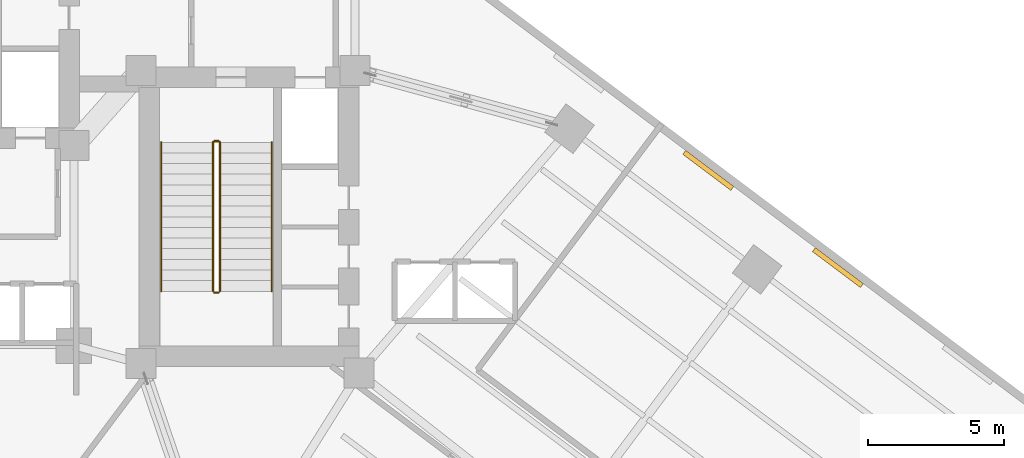
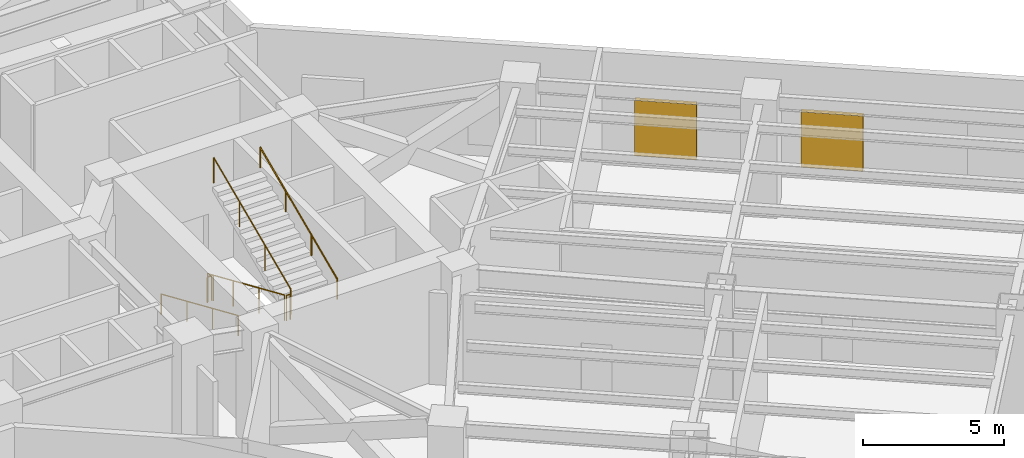
# One storey, part 14 of 16: 7 railings, 2 shading devices.
"""IFC4 building model written with IfcOpenShell, lengths in metres."""

import ifcopenshell
import ifcopenshell.guid

model = None  # the IFC model being written
_history = None  # IfcOwnerHistory: only IFC2X3 demands one
_inside = {}  # id of a spatial element -> (the spatial element, [elements in it])
_under = {}  # id of a project, library or spatial element -> (it, [spatial elements below it])
_declared = {}  # id of a project -> (the project, [libraries it declares])
_typed = {}  # id of a type object -> (the type object, [elements of that type])
_made_of = {}  # id of a material, layer set ... -> (it, [elements and type objects made of it])


def new_model(schema):
    """Start an empty IFC model of exactly this schema.

    Asked for "IFC4X3", IfcOpenShell would pick the latest addendum, in which some entities
    have other attributes; the version numbers below select the first issue.
    IFC2X3 requires an IfcOwnerHistory on every rooted entity: one is made here for all.
    """
    global model, _history
    if schema == "IFC4X3":
        model = ifcopenshell.file(schema_version=(4, 3, 0, 0))
    else:
        model = ifcopenshell.file(schema=schema)
    _inside.clear()
    _under.clear()
    _declared.clear()
    _typed.clear()
    _made_of.clear()
    _history = None
    if model.schema == "IFC2X3":
        org = make("IfcOrganization", Name="unknown")
        user = make(
            "IfcPersonAndOrganization",
            ThePerson=make("IfcPerson", FamilyName="unknown"),
            TheOrganization=org,
        )
        app = make(
            "IfcApplication",
            ApplicationDeveloper=org,
            Version="unknown",
            ApplicationFullName="unknown",
            ApplicationIdentifier="unknown",
        )
        _history = make(
            "IfcOwnerHistory",
            OwningUser=user,
            OwningApplication=app,
            ChangeAction="ADDED",
            CreationDate=0,
        )
    return model


def make(cls, **values):
    """One entity of the class cls with the attributes given. An attribute that is None is left unset."""
    return model.create_entity(
        cls, **{name: value for name, value in values.items() if value is not None}
    )


def rooted(cls, **values):
    """An entity with a GlobalId (a new one), such as an element, a storey or a relation."""
    return make(cls, GlobalId=ifcopenshell.guid.new(), OwnerHistory=_history, **values)


def si_unit(unit_type, name, prefix=None):
    """IfcSIUnit, for example si_unit("LENGTHUNIT", "METRE", prefix="MILLI")."""
    return make("IfcSIUnit", UnitType=unit_type, Prefix=prefix, Name=name)


def assignment(units):
    """IfcUnitAssignment: the units of a project."""
    return None if units is None else make("IfcUnitAssignment", Units=units)


def point(xyz):
    """IfcCartesianPoint."""
    return None if xyz is None else make("IfcCartesianPoint", Coordinates=xyz)


def direction(xyz):
    """IfcDirection."""
    return None if xyz is None else make("IfcDirection", DirectionRatios=xyz)


def frame(location, z_axis=None, x_axis=None):
    """IfcAxis2Placement3D, a coordinate frame: its origin and axes. An axis left out is left unset."""
    return make(
        "IfcAxis2Placement3D",
        Location=point(location),
        Axis=direction(z_axis),
        RefDirection=direction(x_axis),
    )


def frame_2d(location, x_axis=None):
    """IfcAxis2Placement2D, a coordinate frame in the plane: its origin and x axis."""
    return make(
        "IfcAxis2Placement2D", Location=point(location), RefDirection=direction(x_axis)
    )


def origin():
    """The frame at (0, 0, 0) with its axes left unset."""
    return frame((0.0, 0.0, 0.0))


def origin_2d():
    """The frame at (0, 0) in the plane with its x axis left unset."""
    return frame_2d((0.0, 0.0))


def place(relative_to, where):
    """IfcLocalPlacement: puts the frame where relative to a parent placement (None: the world)."""
    return make(
        "IfcLocalPlacement", PlacementRelTo=relative_to, RelativePlacement=where
    )


def context(
    kind, dimensions, precision=None, world=None, true_north=None, identifier=None
):
    """IfcGeometricRepresentationContext, for example the 3D "Model" context."""
    return make(
        "IfcGeometricRepresentationContext",
        ContextIdentifier=identifier,
        ContextType=kind,
        CoordinateSpaceDimension=dimensions,
        Precision=precision,
        WorldCoordinateSystem=world,
        TrueNorth=true_north,
    )


def subcontext(parent, identifier, kind, view, scale=None):
    """IfcGeometricRepresentationSubContext, for example "Body" below "Model"."""
    return make(
        "IfcGeometricRepresentationSubContext",
        ContextIdentifier=identifier,
        ContextType=kind,
        ParentContext=parent,
        TargetScale=scale,
        TargetView=view,
    )


def project(units=None, contexts=None):
    """IfcProject with its units and contexts."""
    return rooted(
        "IfcProject",
        Name="project",
        RepresentationContexts=contexts,
        UnitsInContext=assignment(units),
    )


def spatial(cls, under=None, at=None, **own):
    """A site, building, storey or space (cls), placed at a placement, below another one or the project."""
    s = rooted(cls, ObjectPlacement=at, **own)
    if under is not None:
        _under.setdefault(under.id(), (under, []))[1].append(s)
    return s


def profile(cls, at=None, kind="AREA", **sizes):
    """A parametric profile (cls). Its sizes go by their IFC names, for example OverallWidth=200.0."""
    return make(cls, ProfileType=kind, Position=at, **sizes)


def rectangle(**sizes):
    """IfcRectangleProfileDef."""
    return profile("IfcRectangleProfileDef", **sizes)


def circle(**sizes):
    """IfcCircleProfileDef."""
    return profile("IfcCircleProfileDef", **sizes)


def extrude(swept, where, along, depth):
    """IfcExtrudedAreaSolid: the profile swept, set in the frame where, extruded along a direction by depth."""
    return make(
        "IfcExtrudedAreaSolid",
        SweptArea=swept,
        Position=where,
        ExtrudedDirection=direction(along),
        Depth=depth,
    )


def shape(context_of_items, identifier, shape_type, items):
    """IfcShapeRepresentation: the items that make up one representation, for example the "Body"."""
    return make(
        "IfcShapeRepresentation",
        ContextOfItems=context_of_items,
        RepresentationIdentifier=identifier,
        RepresentationType=shape_type,
        Items=items,
    )


def material(Name=None, Category=None):
    """IfcMaterial."""
    return make("IfcMaterial", Name=Name, Category=Category)


def layer(
    of_material, thickness, ventilated=None, Name=None, Category=None, Priority=None
):
    """IfcMaterialLayer: one layer of a wall or slab, of a material (None: an air gap)."""
    return make(
        "IfcMaterialLayer",
        Material=of_material,
        LayerThickness=thickness,
        IsVentilated=ventilated,
        Name=Name,
        Category=Category,
        Priority=Priority,
    )


def layer_set(layers, Name=None):
    """IfcMaterialLayerSet."""
    return make("IfcMaterialLayerSet", MaterialLayers=layers, LayerSetName=Name)


def made_of(thing, what):
    """Note that an element or type object is made of a material, layer set ...; save() writes the relation."""
    if what is not None:
        _made_of.setdefault(what.id(), (what, []))[1].append(thing)
    return thing


def type_object(cls, material=None, **own):
    """A type object (cls), such as IfcWallType, which elements share."""
    return made_of(rooted(cls, **own), material)


def element(
    cls,
    number,
    at=None,
    inside=None,
    cuts=None,
    type_object=None,
    material=None,
    context=None,
    identifier="Body",
    shape_type=None,
    held_by="IfcProductDefinitionShape",
    body=None,
    shapes=None,
    **own,
):
    """One element of the class cls, such as IfcWall. Its Tag is "e" and its number.

    at: its placement. inside: the storey or other place that contains it. cuts: it is an
    opening in that element (IfcRelVoidsElement). A single representation is given by context,
    identifier, shape_type and body (its items); several are given by shapes. held_by: the class
    of the entity that holds the representations. save() writes the other relations.
    """
    e = rooted(cls, Tag="e%d" % number, ObjectPlacement=at, **own)
    if body is not None:
        shapes = [shape(context, identifier, shape_type, body)]
    if shapes is not None:
        e.Representation = make(held_by, Representations=shapes)
    if inside is not None:
        _inside.setdefault(inside.id(), (inside, []))[1].append(e)
    if cuts is not None:
        rooted(
            "IfcRelVoidsElement", RelatingBuildingElement=cuts, RelatedOpeningElement=e
        )
    if type_object is not None:
        _typed.setdefault(type_object.id(), (type_object, []))[1].append(e)
    return made_of(e, material)


def aggregate(whole, parts):
    """IfcRelAggregates: a whole, such as a stair, and the parts it consists of."""
    return rooted("IfcRelAggregates", RelatingObject=whole, RelatedObjects=parts)


def save(model, path):
    """Write the relations noted so far, then the file.

    IfcRelAggregates (storeys below a building ...), IfcRelContainedInSpatialStructure (elements
    in a storey), IfcRelDefinesByType, IfcRelAssociatesMaterial and IfcRelDeclares: one each for
    every whole, place, type object, material and project.
    """
    for whole, parts in _under.values():
        aggregate(whole, parts)
    for where, things in _inside.values():
        rooted(
            "IfcRelContainedInSpatialStructure",
            RelatedElements=things,
            RelatingStructure=where,
        )
    for kind, things in _typed.values():
        rooted("IfcRelDefinesByType", RelatedObjects=things, RelatingType=kind)
    for what, things in _made_of.values():
        rooted("IfcRelAssociatesMaterial", RelatedObjects=things, RelatingMaterial=what)
    for by, libraries in _declared.values():
        rooted("IfcRelDeclares", RelatingContext=by, RelatedDefinitions=libraries)
    model.write(path)


model = new_model("IFC4")

# Units and contexts
model_context = context("Model", 3, precision=1e-05, world=origin(), true_north=direction((0.0, 1.0)))
body_context = subcontext(model_context, "Body", "Model", "MODEL_VIEW")
ifc_project = project(units=[si_unit("LENGTHUNIT", "METRE"), si_unit("AREAUNIT", "SQUARE_METRE"), si_unit("VOLUMEUNIT", "CUBIC_METRE"), si_unit("PLANEANGLEUNIT", "RADIAN"), si_unit("MASSUNIT", "GRAM", prefix="KILO")], contexts=[model_context])

# Site, building, storey
site_placement = place(None, origin())
site = spatial("IfcSite", under=ifc_project, at=site_placement, CompositionType="ELEMENT")
building_placement = place(site_placement, origin())
building = spatial("IfcBuilding", under=site, at=building_placement, Name="Hatsunagi Terrace Concourse", CompositionType="ELEMENT")
storey_placement = place(building_placement, frame((0.0, 0.0, 27.0)))
storey = spatial("IfcBuildingStorey", under=building, at=storey_placement, Name="L06", CompositionType="ELEMENT", Elevation=27.0)

# Shading devices
ifc_material_1 = material(Name="Powder-Coated Aluminium Acoustic Louvre", Category="aluminium")
ifc_layer_1 = layer(ifc_material_1, 0.179931640625)
ifc_layer_set_1 = layer_set([ifc_layer_1], Name="PlantAcousticLouvre_180")
shading_device_type = type_object("IfcShadingDeviceType", Name="PlantAcousticLouvre_180", PredefinedType="JALOUSIE", material=ifc_layer_set_1)
for number, where, z_axis, x_axis, name in (
    (1, (56.60693359375, 31.632080078125, 0.60009765625), (0.0, 0.0, 1.0), (0.80000835285, -0.599988862705, 0.0), "Plant Acoustic Louvre L06-01-3"),
    (2, (61.361083984375, 28.06689453125, 0.60009765625), (0.0, 0.0, 1.0), (0.80000835285, -0.599988862705, 0.0), "Plant Acoustic Louvre L06-01-4"),
):
    element("IfcShadingDevice", number, at=place(storey_placement, frame(where, z_axis=z_axis, x_axis=x_axis)), inside=storey, type_object=shading_device_type, Name=name, PredefinedType="JALOUSIE", context=body_context, shape_type="SweptSolid", body=[
        extrude(rectangle(XDim=2.199951171875, YDim=0.179931640625, at=origin_2d()), origin(), (0.0, 0.0, 1.0), 2.39990234375),
    ])

# Railings
ifc_material_2 = material(Name="Stainless steel", Category="steel")
ifc_layer_2 = layer(ifc_material_2, 0.044921875)
ifc_layer_set_2 = layer_set([ifc_layer_2], Name="StairPitchHandrail_Tower2000")
railing_type_1 = type_object("IfcRailingType", Name="StairPitchHandrail_Tower2000", PredefinedType="HANDRAIL", material=ifc_layer_set_2)
railing_1_placement = place(storey_placement, frame((36.550048828125, 32.659912109375, 0.169921875)))
element("IfcRailing", 3, at=railing_1_placement, inside=storey, type_object=railing_type_1, Name="L06 ST-B stair handrail 1", PredefinedType="HANDRAIL", context=body_context, shape_type="SweptSolid", body=[
    extrude(circle(Radius=0.02392578125, at=origin_2d()), frame((0.0, 0.0, 0.8759765625), z_axis=(0.0, -0.916687109865, 0.399605733951), x_axis=(1.0, 0.0, 0.0)), (0.0, 0.0, 1.0), 5.956298828125),
    extrude(circle(Radius=0.02099609375, at=origin_2d()), origin(), (0.0, 0.0, 1.0), 0.851806640625),
    extrude(circle(Radius=0.02099609375, at=origin_2d()), frame((0.0, -1.820068359375, 0.79345703125)), (0.0, 0.0, 1.0), 0.851806640625),
    extrude(circle(Radius=0.02099609375, at=origin_2d()), frame((0.0, -3.639892578125, 1.586669921875)), (0.0, 0.0, 1.0), 0.851806640625),
    extrude(circle(Radius=0.02099609375, at=origin_2d()), frame((0.0, -5.4599609375, 2.380126953125)), (0.0, 0.0, 1.0), 0.851806640625),
])
railing_2_placement = place(storey_placement, frame((40.60009765625, 27.199951171875, 2.719970703125)))
element("IfcRailing", 4, at=railing_2_placement, inside=storey, type_object=railing_type_1, Name="L06 ST-B stair handrail 2", PredefinedType="HANDRAIL", context=body_context, shape_type="SweptSolid", body=[
    extrude(circle(Radius=0.02392578125, at=origin_2d()), frame((0.0, 0.0, 0.8759765625), z_axis=(0.0, 0.916687109865, 0.399605733951), x_axis=(-1.0, 0.0, 0.0)), (0.0, 0.0, 1.0), 5.956298828125),
    extrude(circle(Radius=0.02099609375, at=origin_2d()), origin(), (0.0, 0.0, 1.0), 0.851806640625),
    extrude(circle(Radius=0.02099609375, at=origin_2d()), frame((0.0, 1.820068359375, 0.79345703125)), (0.0, 0.0, 1.0), 0.851806640625),
    extrude(circle(Radius=0.02099609375, at=origin_2d()), frame((0.0, 3.639892578125, 1.586669921875)), (0.0, 0.0, 1.0), 0.851806640625),
    extrude(circle(Radius=0.02099609375, at=origin_2d()), frame((0.0, 5.4599609375, 2.380126953125)), (0.0, 0.0, 1.0), 0.851806640625),
])
ifc_material_3 = material(Name="Stainless steel", Category="steel")
ifc_layer_3 = layer(ifc_material_3, 0.06005859375)
ifc_layer_set_3 = layer_set([ifc_layer_3], Name="StairWellGuard_Tower2000")
railing_type_2 = type_object("IfcRailingType", Name="StairWellGuard_Tower2000", PredefinedType="BALUSTRADE", material=ifc_layer_set_3)
railing_3_placement = place(storey_placement, frame((38.449951171875, 32.659912109375, 0.169921875)))
element("IfcRailing", 5, at=railing_3_placement, inside=storey, type_object=railing_type_2, Name="L06 ST-B stair guard 1", PredefinedType="BALUSTRADE", context=body_context, shape_type="SweptSolid", body=[
    extrude(circle(Radius=0.02392578125, at=origin_2d()), frame((0.0, 0.0, 1.09619140625), z_axis=(0.0, -0.916687109865, 0.399605733951), x_axis=(1.0, 0.0, 0.0)), (0.0, 0.0, 1.0), 5.956298828125),
    extrude(circle(Radius=0.02099609375, at=origin_2d()), origin(), (0.0, 0.0, 1.0), 1.072021484375),
    extrude(circle(Radius=0.02099609375, at=origin_2d()), frame((0.0, -1.820068359375, 0.79345703125)), (0.0, 0.0, 1.0), 1.072021484375),
    extrude(circle(Radius=0.02099609375, at=origin_2d()), frame((0.0, -3.639892578125, 1.586669921875)), (0.0, 0.0, 1.0), 1.072021484375),
    extrude(circle(Radius=0.02099609375, at=origin_2d()), frame((0.0, -5.4599609375, 2.380126953125)), (0.0, 0.0, 1.0), 1.072021484375),
])
railing_4_placement = place(storey_placement, frame((38.5, 27.14990234375, 2.550048828125)))
element("IfcRailing", 6, at=railing_4_placement, inside=storey, type_object=railing_type_2, Name="L06 ST-B stair guard 2", PredefinedType="BALUSTRADE", context=body_context, shape_type="SweptSolid", body=[
    extrude(circle(Radius=0.02392578125, at=origin_2d()), frame((0.0, 0.0, 1.09619140625), z_axis=(1.0, 0.0, 0.0), x_axis=(0.0, 1.0, 0.0)), (0.0, 0.0, 1.0), 0.14990234375),
    extrude(circle(Radius=0.02099609375, at=origin_2d()), origin(), (0.0, 0.0, 1.0), 1.072021484375),
    extrude(circle(Radius=0.02099609375, at=origin_2d()), frame((0.14990234375, 0.0, 0.0)), (0.0, 0.0, 1.0), 1.072021484375),
])
railing_5_placement = place(storey_placement, frame((38.699951171875, 27.199951171875, 2.719970703125)))
element("IfcRailing", 7, at=railing_5_placement, inside=storey, type_object=railing_type_2, Name="L06 ST-B stair guard 3", PredefinedType="BALUSTRADE", context=body_context, shape_type="SweptSolid", body=[
    extrude(circle(Radius=0.02392578125, at=origin_2d()), frame((0.0, 0.0, 1.09619140625), z_axis=(0.0, 0.916687109865, 0.399605733951), x_axis=(-1.0, 0.0, 0.0)), (0.0, 0.0, 1.0), 5.956298828125),
    extrude(circle(Radius=0.02099609375, at=origin_2d()), origin(), (0.0, 0.0, 1.0), 1.072021484375),
    extrude(circle(Radius=0.02099609375, at=origin_2d()), frame((0.0, 1.820068359375, 0.79345703125)), (0.0, 0.0, 1.0), 1.072021484375),
    extrude(circle(Radius=0.02099609375, at=origin_2d()), frame((0.0, 3.639892578125, 1.586669921875)), (0.0, 0.0, 1.0), 1.072021484375),
    extrude(circle(Radius=0.02099609375, at=origin_2d()), frame((0.0, 5.4599609375, 2.380126953125)), (0.0, 0.0, 1.0), 1.072021484375),
])
railing_6_placement = place(storey_placement, frame((38.5, 32.7099609375, 0.0)))
element("IfcRailing", 8, at=railing_6_placement, inside=storey, type_object=railing_type_2, Name="L06 ST-B stair guard 4", PredefinedType="BALUSTRADE", context=body_context, shape_type="SweptSolid", body=[
    extrude(circle(Radius=0.02392578125, at=origin_2d()), frame((0.0, 0.0, 1.09619140625), z_axis=(1.0, 0.0, 0.0), x_axis=(0.0, 1.0, 0.0)), (0.0, 0.0, 1.0), 0.14990234375),
    extrude(circle(Radius=0.02099609375, at=origin_2d()), origin(), (0.0, 0.0, 1.0), 1.072021484375),
    extrude(circle(Radius=0.02099609375, at=origin_2d()), frame((0.14990234375, 0.0, 0.0)), (0.0, 0.0, 1.0), 1.072021484375),
])
ifc_material_4 = material(Name="Stainless Steel SUS316 Post-and-Rail Guard", Category="steel")
ifc_layer_4 = layer(ifc_material_4, 0.080078125)
ifc_layer_set_4 = layer_set([ifc_layer_4], Name="TerracePlantedGuardRail_1200")
railing_type_3 = type_object("IfcRailingType", Name="TerracePlantedGuardRail_1200", PredefinedType="GUARDRAIL", material=ifc_layer_set_4)
railing_7_placement = place(storey_placement, frame((38.449951171875, 32.679931640625, 0.0)))
element("IfcRailing", 9, at=railing_7_placement, inside=storey, type_object=railing_type_3, Name="Stair ST-B Well Closure Guard L06", PredefinedType="GUARDRAIL", context=body_context, shape_type="SweptSolid", body=[
    extrude(circle(Radius=0.02392578125, at=origin_2d()), frame((0.0, 0.0, 1.09619140625), z_axis=(1.0, 0.0, 0.0), x_axis=(0.0, 1.0, 0.0)), (0.0, 0.0, 1.0), 0.25),
    extrude(circle(Radius=0.02099609375, at=origin_2d()), origin(), (0.0, 0.0, 1.0), 1.072021484375),
    extrude(circle(Radius=0.02099609375, at=origin_2d()), frame((0.25, 0.0, 0.0)), (0.0, 0.0, 1.0), 1.072021484375),
])

save(model, "model.ifc")
